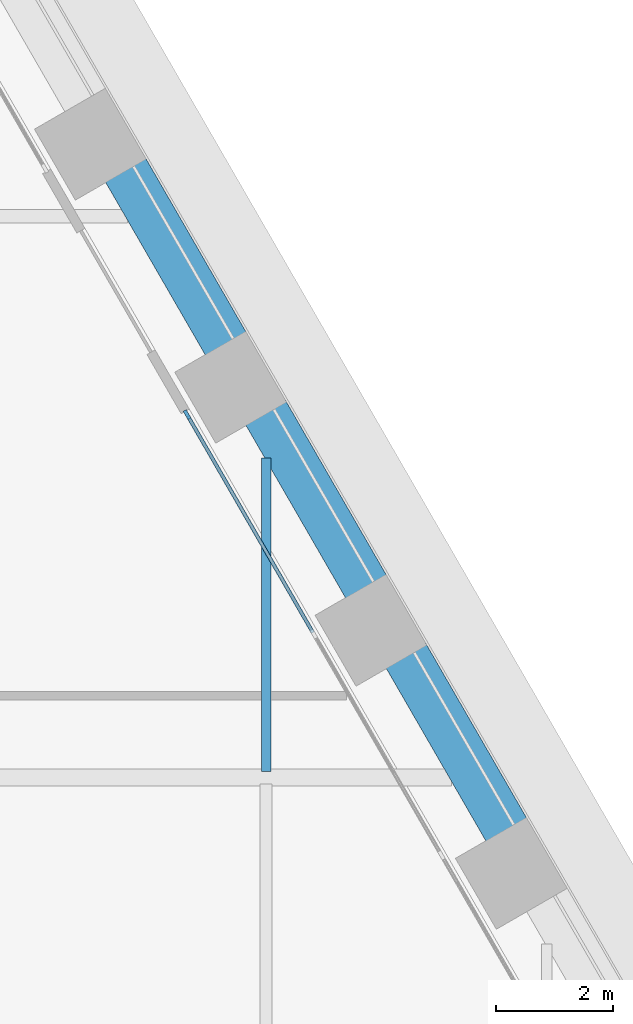
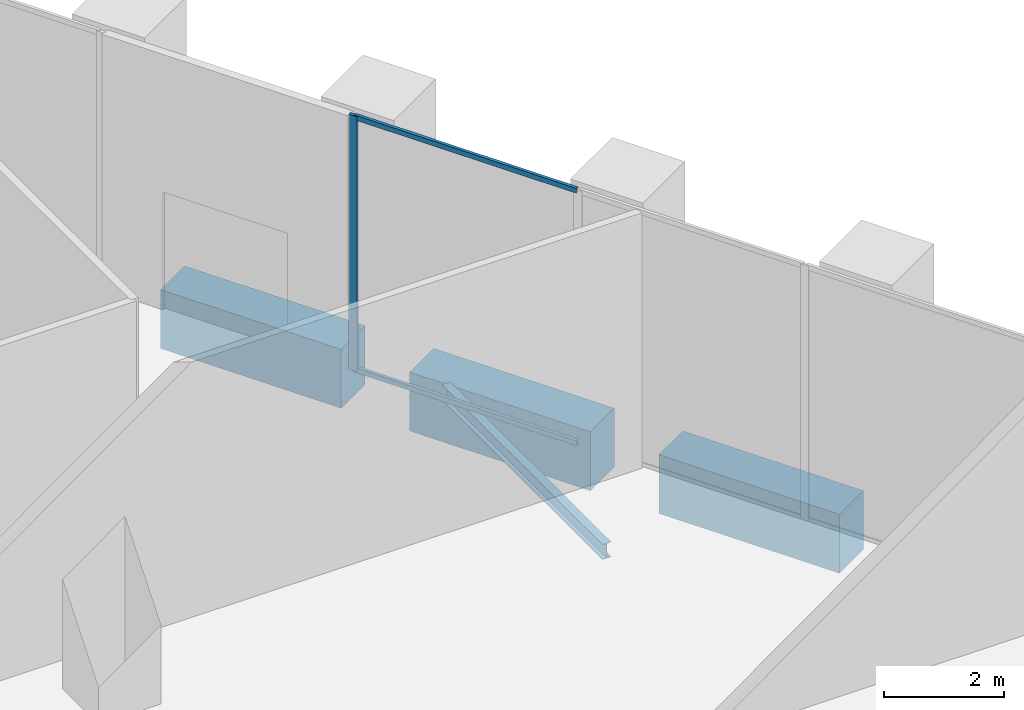
# One storey, part 12 of 27: 4 beams, 3 members, 1 element without a shape of its own.
"""IFC4 building model written with IfcOpenShell, lengths in metres."""

from ifc_helpers import new_model, si_unit, direction, frame, origin, origin_2d, place, context, subcontext, project, spatial, rectangle, i_section, extrude, material, material_profile, profile_set, type_object, element, aggregate, save


model = new_model("IFC4")

# Units and contexts
model_context = context("Model", 3, precision=1e-05, world=origin(), true_north=direction((0.0, 1.0)))
body_context = subcontext(model_context, "Body", "Model", "MODEL_VIEW")
ifc_project = project(units=[si_unit("LENGTHUNIT", "METRE"), si_unit("AREAUNIT", "SQUARE_METRE"), si_unit("VOLUMEUNIT", "CUBIC_METRE"), si_unit("PLANEANGLEUNIT", "RADIAN"), si_unit("MASSUNIT", "GRAM", prefix="KILO")], contexts=[model_context])

# Site, building, storey
site_placement = place(None, origin())
site = spatial("IfcSite", under=ifc_project, at=site_placement, CompositionType="ELEMENT")
building_placement = place(site_placement, origin())
building = spatial("IfcBuilding", under=site, at=building_placement, Name="Kolab Exchange Tower", CompositionType="ELEMENT")
storey_placement = place(building_placement, frame((0.0, 0.0, 66.39990234375)))
storey = spatial("IfcBuildingStorey", under=building, at=storey_placement, Name="L12", CompositionType="ELEMENT", Elevation=66.39990234375)

# Beams
ifc_material_1 = material(Name="Steel S355", Category="steel")
ifc_material_profile_1 = material_profile(ifc_material_1, i_section(OverallWidth=0.1650390625, OverallDepth=0.31005859375, WebThickness=0.005859375, FlangeThickness=0.009765625, at=origin_2d()), Name="W310X39")
ifc_profile_set_1 = profile_set([ifc_material_profile_1], Name="Steel S355")
beam_type_1 = type_object("IfcBeamType", Name="FLOOR BEAM W310X39", PredefinedType="BEAM", material=ifc_profile_set_1)
beam_1_placement = place(storey_placement, frame((28.800048828125, 9.7060546875, -0.454833984375), z_axis=(0.0, 1.0, 0.0), x_axis=(-1.0, 0.0, 0.0)))
element("IfcBeam", 1, at=beam_1_placement, inside=storey, type_object=beam_type_1, Name="beam/L12/fr/061", PredefinedType="BEAM", context=body_context, shape_type="SweptSolid", body=[
    extrude(i_section(OverallWidth=0.1650390625, OverallDepth=0.31005859375, WebThickness=0.005859375, FlangeThickness=0.009765625, at=origin_2d()), origin(), (0.0, 0.0, 1.0), 5.361572265625),
])
ifc_material_2 = material(Name="Concrete C80/95", Category="concrete")
ifc_material_profile_2 = material_profile(ifc_material_2, rectangle(XDim=0.800048828125, YDim=1.199951171875, at=origin_2d()), Name="RC800X1200")
ifc_profile_set_2 = profile_set([ifc_material_profile_2], Name="Concrete C80/95")
beam_type_2 = type_object("IfcBeamType", Name="SPANDREL BEAM 800X1200 C80/95", PredefinedType="BEAM", material=ifc_profile_set_2)
beam_2_placement = place(storey_placement, frame((26.383544921875, 20.012939453125, -0.89990234375), z_axis=(0.500009906705, -0.86601968407, 0.0), x_axis=(0.86601968407, 0.500009906705, 0.0)))
element("IfcBeam", 2, at=beam_2_placement, inside=storey, type_object=beam_type_2, Name="beam/L12/sp/F2-04", PredefinedType="BEAM", context=body_context, shape_type="SweptSolid", body=[
    extrude(rectangle(XDim=0.800048828125, YDim=1.199951171875, at=origin_2d()), origin(), (0.0, 0.0, 1.0), 3.47998046875),
])
for number, where, z_axis, x_axis, name in (
    (3, (28.78369140625, 15.856201171875, -0.89990234375), (0.499979528911, -0.866037222451, 0.0), (0.866037222451, 0.499979528911, 0.0), "beam/L12/sp/F2-05"),
    (4, (31.18359375, 11.69921875, -0.89990234375), (0.499979528911, -0.866037222451, 0.0), (0.866037222451, 0.499979528911, 0.0), "beam/L12/sp/F2-06"),
):
    element("IfcBeam", number, at=place(storey_placement, frame(where, z_axis=z_axis, x_axis=x_axis)), inside=storey, type_object=beam_type_2, Name=name, PredefinedType="BEAM", context=body_context, shape_type="SweptSolid", body=[
        extrude(rectangle(XDim=0.800048828125, YDim=1.199951171875, at=origin_2d()), origin(), (0.0, 0.0, 1.0), 3.480224609375),
    ])

# Curtain wall, members
ifc_material_3 = material(Name="Aluminium EN AW-6063 T6", Category="aluminium")
curtain_wall_type = type_object("IfcCurtainWallType", Name="UNITISED LOW ZONE CURTAIN WALL", PredefinedType="NOTDEFINED", material=ifc_material_3)
curtain_wall_placement = place(storey_placement, origin())
curtain_wall = element("IfcCurtainWall", 5, at=curtain_wall_placement, inside=storey, type_object=curtain_wall_type, Name="cw/L12/F2-2", PredefinedType="NOTDEFINED")
ifc_material_profile_3 = material_profile(ifc_material_3, rectangle(XDim=0.06005859375, YDim=0.159912109375, at=origin_2d()), Name="RECT 60X160")
ifc_profile_set_3 = profile_set([ifc_material_profile_3], Name="Aluminium EN AW-6063 T6")
member_type_1 = type_object("IfcMemberType", Name="UNITISED LOW ZONE MULLION 60 X 160", PredefinedType="MULLION", material=ifc_profile_set_3)
member_1_placement = place(storey_placement, frame((27.44677734375, 15.811767578125, 0.0), z_axis=(0.0, 0.0, 1.0), x_axis=(0.866025422102, 0.499999968274, 0.0)))
member_1 = element("IfcMember", 6, at=member_1_placement, type_object=member_type_1, Name="CW1 mullion 1", PredefinedType="MULLION", context=body_context, shape_type="SweptSolid", body=[
    extrude(rectangle(XDim=0.06005859375, YDim=0.159912109375, at=origin_2d()), origin(), (0.0, 0.0, 1.0), 5.2001953125),
])
ifc_material_profile_4 = material_profile(ifc_material_3, rectangle(XDim=0.06005859375, YDim=0.10009765625, at=origin_2d()), Name="RECT 60X100")
ifc_profile_set_4 = profile_set([ifc_material_profile_4], Name="Aluminium EN AW-6063 T6")
member_type_2 = type_object("IfcMemberType", Name="UNITISED LOW ZONE TRANSOM 60 X 100", PredefinedType="USERDEFINED", material=ifc_profile_set_4)
member_2_placement = place(storey_placement, frame((27.461669921875, 15.78564453125, 0.030029296875), z_axis=(0.500000816281, -0.866024932504, 0.0), x_axis=(0.866024932504, 0.500000816281, 0.0)))
member_2 = element("IfcMember", 7, at=member_2_placement, type_object=member_type_2, Name="CW1 transom 1.1", ObjectType="TRANSOM", PredefinedType="USERDEFINED", context=body_context, shape_type="SweptSolid", body=[
    extrude(rectangle(XDim=0.06005859375, YDim=0.10009765625, at=origin_2d()), origin(), (0.0, 0.0, 1.0), 4.27685546875),
])
member_3_placement = place(storey_placement, frame((27.461669921875, 15.78564453125, 5.170166015625), z_axis=(0.500000816281, -0.866024932504, 0.0), x_axis=(0.866024932504, 0.500000816281, 0.0)))
member_3 = element("IfcMember", 8, at=member_3_placement, type_object=member_type_2, Name="CW1 transom 1.2", ObjectType="TRANSOM", PredefinedType="USERDEFINED", context=body_context, shape_type="SweptSolid", body=[
    extrude(rectangle(XDim=0.06005859375, YDim=0.10009765625, at=origin_2d()), origin(), (0.0, 0.0, 1.0), 4.27685546875),
])
aggregate(curtain_wall, [member_1, member_2, member_3])

save(model, "model.ifc")
